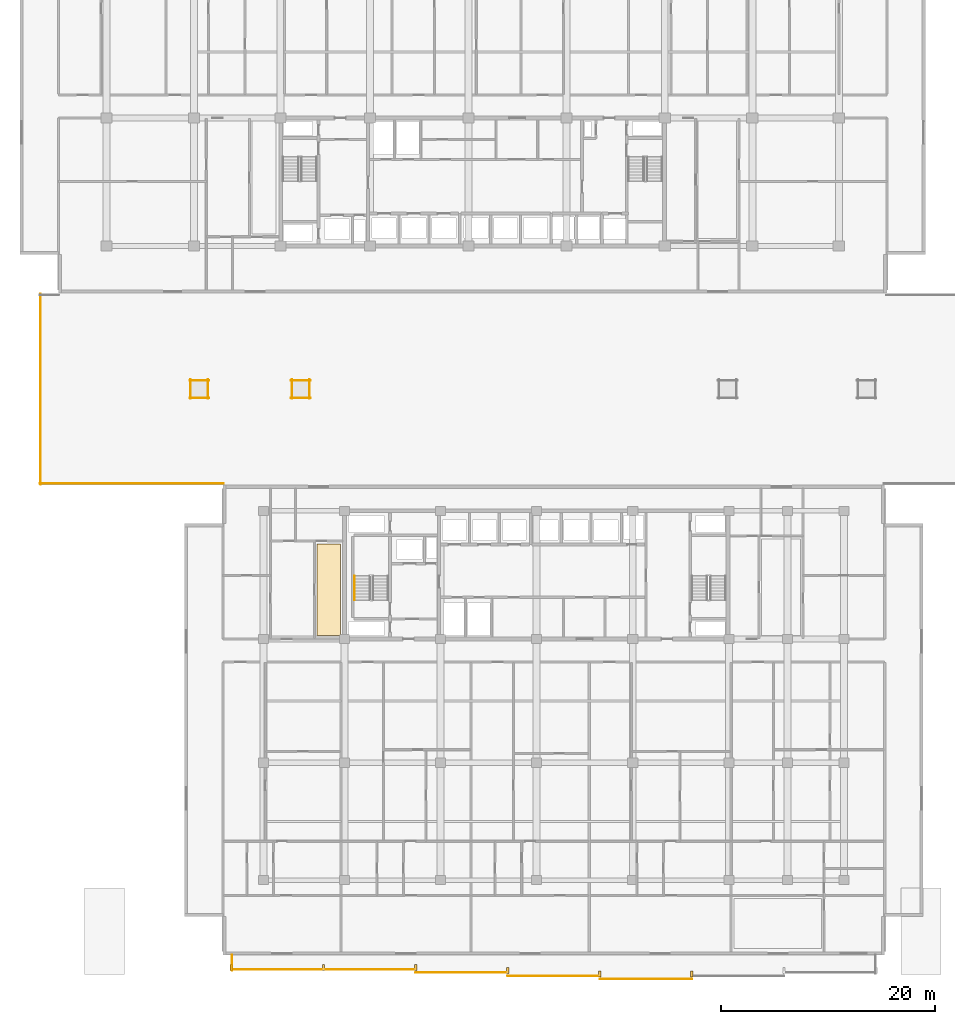
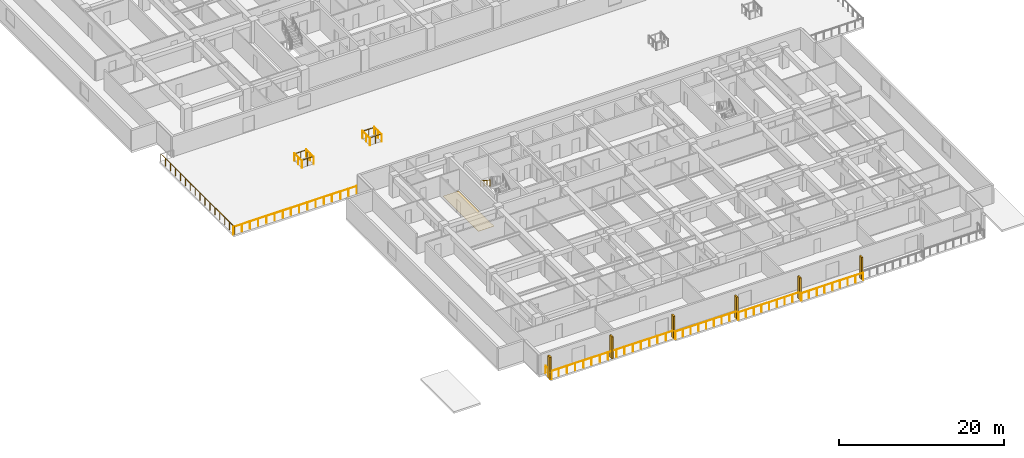
# One storey, part 19 of 24: 16 railings, 6 shading devices, 1 covering.
"""IFC4 building model written with IfcOpenShell, lengths in metres."""

from ifc_helpers import new_model, si_unit, direction, frame, origin, origin_2d, place, context, subcontext, project, spatial, polyline, rectangle, circle, outline, extrude, material, layer, layer_set, type_object, element, save


model = new_model("IFC4")

# Units and contexts
model_context = context("Model", 3, precision=1e-05, world=origin(), true_north=direction((0.0, 1.0)))
body_context = subcontext(model_context, "Body", "Model", "MODEL_VIEW")
ifc_project = project(units=[si_unit("LENGTHUNIT", "METRE"), si_unit("AREAUNIT", "SQUARE_METRE"), si_unit("VOLUMEUNIT", "CUBIC_METRE"), si_unit("PLANEANGLEUNIT", "RADIAN"), si_unit("MASSUNIT", "GRAM", prefix="KILO")], contexts=[model_context])

# Site, building, storey
site_placement = place(None, origin())
site = spatial("IfcSite", under=ifc_project, at=site_placement, CompositionType="ELEMENT")
building_placement = place(site_placement, origin())
building = spatial("IfcBuilding", under=site, at=building_placement, Name="Korimba Cascade Residences", CompositionType="ELEMENT")
storey_placement = place(building_placement, frame((0.0, 0.0, 24.0)))
storey = spatial("IfcBuildingStorey", under=building, at=storey_placement, Name="L05", CompositionType="ELEMENT", Elevation=24.0)

# Covering
ifc_material_1 = material(Name="Engineered Spotted-Gum Timber Flooring", Category="wood")
ifc_layer = layer(ifc_material_1, 0.02001953125)
ifc_layer_set = layer_set([ifc_layer], Name="Engineered Spotted-Gum Timber Flooring")
covering_type = type_object("IfcCoveringType", Name="COV-FLR-TIM", PredefinedType="FLOORING", material=ifc_layer_set)
covering_placement = place(storey_placement, origin())
element("IfcCovering", 1, at=covering_placement, inside=storey, type_object=covering_type, Name="L05 Spotted-Gum Timber Flooring L05-T2-FW-L", PredefinedType="FLOORING", context=body_context, shape_type="SweptSolid", body=[
    extrude(outline(polyline([(79.5, 18.699951171875), (81.699951171875, 18.699951171875), (81.699951171875, 27.300048828125), (79.5, 27.300048828125), (79.5, 18.699951171875)])), origin(), (0.0, 0.0, 1.0), 0.02001953125),
])

# Railings
ifc_material_2 = material(Name="Laminated Glass and Bronze Balustrade", Category="glass")
railing_type_1 = type_object("IfcRailingType", Name="RLG-LOG-1150", PredefinedType="BALUSTRADE", material=ifc_material_2)
railing_1_placement = place(storey_placement, frame((71.5, -12.570068359375, 0.0)))
element("IfcRailing", 2, at=railing_1_placement, inside=storey, type_object=railing_type_1, Name="L05 Perimeter Guardrail RLG-L05-T2-LOG-01", PredefinedType="BALUSTRADE", context=body_context, shape_type="SweptSolid", body=[
    extrude(circle(Radius=0.02392578125, at=origin_2d()), frame((0.0, 0.0, 1.1259765625), z_axis=(1.0, 0.0, 0.0), x_axis=(0.0, 1.0, 0.0)), (0.0, 0.0, 1.0), 17.257080078125),
    extrude(circle(Radius=0.02099609375, at=origin_2d()), origin(), (0.0, 0.0, 1.0), 1.101806640625),
    extrude(circle(Radius=0.02099609375, at=origin_2d()), frame((1.150390625, 0.0, 0.0)), (0.0, 0.0, 1.0), 1.101806640625),
    extrude(circle(Radius=0.02099609375, at=origin_2d()), frame((2.301025390625, 0.0, 0.0)), (0.0, 0.0, 1.0), 1.101806640625),
    extrude(circle(Radius=0.02099609375, at=origin_2d()), frame((3.451416015625, 0.0, 0.0)), (0.0, 0.0, 1.0), 1.101806640625),
    extrude(circle(Radius=0.02099609375, at=origin_2d()), frame((4.601806640625, 0.0, 0.0)), (0.0, 0.0, 1.0), 1.101806640625),
    extrude(circle(Radius=0.02099609375, at=origin_2d()), frame((5.75244140625, 0.0, 0.0)), (0.0, 0.0, 1.0), 1.101806640625),
    extrude(circle(Radius=0.02099609375, at=origin_2d()), frame((6.90283203125, 0.0, 0.0)), (0.0, 0.0, 1.0), 1.101806640625),
    extrude(circle(Radius=0.02099609375, at=origin_2d()), frame((8.05322265625, 0.0, 0.0)), (0.0, 0.0, 1.0), 1.101806640625),
    extrude(circle(Radius=0.02099609375, at=origin_2d()), frame((9.203857421875, 0.0, 0.0)), (0.0, 0.0, 1.0), 1.101806640625),
    extrude(circle(Radius=0.02099609375, at=origin_2d()), frame((10.354248046875, 0.0, 0.0)), (0.0, 0.0, 1.0), 1.101806640625),
    extrude(circle(Radius=0.02099609375, at=origin_2d()), frame((11.504638671875, 0.0, 0.0)), (0.0, 0.0, 1.0), 1.101806640625),
    extrude(circle(Radius=0.02099609375, at=origin_2d()), frame((12.6552734375, 0.0, 0.0)), (0.0, 0.0, 1.0), 1.101806640625),
    extrude(circle(Radius=0.02099609375, at=origin_2d()), frame((13.8056640625, 0.0, 0.0)), (0.0, 0.0, 1.0), 1.101806640625),
    extrude(circle(Radius=0.02099609375, at=origin_2d()), frame((14.9560546875, 0.0, 0.0)), (0.0, 0.0, 1.0), 1.101806640625),
    extrude(circle(Radius=0.02099609375, at=origin_2d()), frame((16.106689453125, 0.0, 0.0)), (0.0, 0.0, 1.0), 1.101806640625),
    extrude(circle(Radius=0.02099609375, at=origin_2d()), frame((17.257080078125, 0.0, 0.0)), (0.0, 0.0, 1.0), 1.101806640625),
])
for number, where, name in (
    (3, (88.757080078125, -12.8701171875, 0.0), "L05 Perimeter Guardrail RLG-L05-T2-LOG-02"),
    (4, (97.3857421875, -13.169921875, 0.0), "L05 Perimeter Guardrail RLG-L05-T2-LOG-03"),
):
    element("IfcRailing", number, at=place(storey_placement, frame(where)), inside=storey, type_object=railing_type_1, Name=name, PredefinedType="BALUSTRADE", context=body_context, shape_type="SweptSolid", body=[
        extrude(circle(Radius=0.02392578125, at=origin_2d()), frame((0.0, 0.0, 1.1259765625), z_axis=(1.0, 0.0, 0.0), x_axis=(0.0, 1.0, 0.0)), (0.0, 0.0, 1.0), 8.628662109375),
        extrude(circle(Radius=0.02099609375, at=origin_2d()), origin(), (0.0, 0.0, 1.0), 1.101806640625),
        extrude(circle(Radius=0.02099609375, at=origin_2d()), frame((1.07861328125, 0.0, 0.0)), (0.0, 0.0, 1.0), 1.101806640625),
        extrude(circle(Radius=0.02099609375, at=origin_2d()), frame((2.1572265625, 0.0, 0.0)), (0.0, 0.0, 1.0), 1.101806640625),
        extrude(circle(Radius=0.02099609375, at=origin_2d()), frame((3.23583984375, 0.0, 0.0)), (0.0, 0.0, 1.0), 1.101806640625),
        extrude(circle(Radius=0.02099609375, at=origin_2d()), frame((4.314453125, 0.0, 0.0)), (0.0, 0.0, 1.0), 1.101806640625),
        extrude(circle(Radius=0.02099609375, at=origin_2d()), frame((5.392822265625, 0.0, 0.0)), (0.0, 0.0, 1.0), 1.101806640625),
        extrude(circle(Radius=0.02099609375, at=origin_2d()), frame((6.471435546875, 0.0, 0.0)), (0.0, 0.0, 1.0), 1.101806640625),
        extrude(circle(Radius=0.02099609375, at=origin_2d()), frame((7.550048828125, 0.0, 0.0)), (0.0, 0.0, 1.0), 1.101806640625),
        extrude(circle(Radius=0.02099609375, at=origin_2d()), frame((8.628662109375, 0.0, 0.0)), (0.0, 0.0, 1.0), 1.101806640625),
    ])
railing_2_placement = place(storey_placement, frame((106.014404296875, -13.469970703125, 0.0)))
element("IfcRailing", 5, at=railing_2_placement, inside=storey, type_object=railing_type_1, Name="L05 Perimeter Guardrail RLG-L05-T2-LOG-04", PredefinedType="BALUSTRADE", context=body_context, shape_type="SweptSolid", body=[
    extrude(circle(Radius=0.02392578125, at=origin_2d()), frame((0.0, 0.0, 1.1259765625), z_axis=(1.0, 0.0, 0.0), x_axis=(0.0, 1.0, 0.0)), (0.0, 0.0, 1.0), 8.62841796875),
    extrude(circle(Radius=0.02099609375, at=origin_2d()), origin(), (0.0, 0.0, 1.0), 1.101806640625),
    extrude(circle(Radius=0.02099609375, at=origin_2d()), frame((1.07861328125, 0.0, 0.0)), (0.0, 0.0, 1.0), 1.101806640625),
    extrude(circle(Radius=0.02099609375, at=origin_2d()), frame((2.1572265625, 0.0, 0.0)), (0.0, 0.0, 1.0), 1.101806640625),
    extrude(circle(Radius=0.02099609375, at=origin_2d()), frame((3.235595703125, 0.0, 0.0)), (0.0, 0.0, 1.0), 1.101806640625),
    extrude(circle(Radius=0.02099609375, at=origin_2d()), frame((4.314208984375, 0.0, 0.0)), (0.0, 0.0, 1.0), 1.101806640625),
    extrude(circle(Radius=0.02099609375, at=origin_2d()), frame((5.392822265625, 0.0, 0.0)), (0.0, 0.0, 1.0), 1.101806640625),
    extrude(circle(Radius=0.02099609375, at=origin_2d()), frame((6.47119140625, 0.0, 0.0)), (0.0, 0.0, 1.0), 1.101806640625),
    extrude(circle(Radius=0.02099609375, at=origin_2d()), frame((7.5498046875, 0.0, 0.0)), (0.0, 0.0, 1.0), 1.101806640625),
    extrude(circle(Radius=0.02099609375, at=origin_2d()), frame((8.62841796875, 0.0, 0.0)), (0.0, 0.0, 1.0), 1.101806640625),
])
railing_3_placement = place(storey_placement, frame((71.580078125, -11.199951171875, 0.0)))
element("IfcRailing", 6, at=railing_3_placement, inside=storey, type_object=railing_type_1, Name="L05 Perimeter Guardrail RLG-L05-T2-LOG-08", PredefinedType="BALUSTRADE", context=body_context, shape_type="SweptSolid", body=[
    extrude(circle(Radius=0.02392578125, at=origin_2d()), frame((0.0, 0.0, 1.1259765625), z_axis=(0.0, -1.0, 0.0), x_axis=(1.0, 0.0, 0.0)), (0.0, 0.0, 1.0), 1.449951171875),
    extrude(circle(Radius=0.02099609375, at=origin_2d()), origin(), (0.0, 0.0, 1.0), 1.101806640625),
    extrude(circle(Radius=0.02099609375, at=origin_2d()), frame((0.0, -0.72509765625, 0.0)), (0.0, 0.0, 1.0), 1.101806640625),
    extrude(circle(Radius=0.02099609375, at=origin_2d()), frame((0.0, -1.449951171875, 0.0)), (0.0, 0.0, 1.0), 1.101806640625),
])
ifc_material_3 = material(Name="Brushed Stainless Steel Handrail", Category="steel")
railing_type_2 = type_object("IfcRailingType", Name="RLG-ST-HR900", PredefinedType="HANDRAIL", material=ifc_material_3)
railing_4_placement = place(storey_placement, frame((83.050048828125, 24.2900390625, 1.989990234375)))
element("IfcRailing", 7, at=railing_4_placement, inside=storey, type_object=railing_type_2, Name="L05 ST-E1 stair handrail 2", PredefinedType="HANDRAIL", context=body_context, shape_type="SweptSolid", body=[
    extrude(circle(Radius=0.02392578125, at=origin_2d()), frame((0.0, 0.0, 0.8759765625), z_axis=(0.0, -0.840436612492, 0.541909863706), x_axis=(1.0, 0.0, 0.0)), (0.0, 0.0, 1.0), 2.665283203125),
    extrude(circle(Radius=0.02099609375, at=origin_2d()), origin(), (0.0, 0.0, 1.0), 0.851806640625),
    extrude(circle(Radius=0.02099609375, at=origin_2d()), frame((0.0, -0.74658203125, 0.4814453125)), (0.0, 0.0, 1.0), 0.851806640625),
    extrude(circle(Radius=0.02099609375, at=origin_2d()), frame((0.0, -1.493408203125, 0.962890625)), (0.0, 0.0, 1.0), 0.851806640625),
    extrude(circle(Radius=0.02099609375, at=origin_2d()), frame((0.0, -2.239990234375, 1.4443359375)), (0.0, 0.0, 1.0), 0.851806640625),
])
ifc_material_4 = material(Name="Painted Galvanised Steel Terrace Guardrail", Category="steel")
railing_type_3 = type_object("IfcRailingType", Name="RLG-TER-1150", PredefinedType="GUARDRAIL", material=ifc_material_4)
railing_5_placement = place(storey_placement, frame((53.56005859375, 32.9599609375, 0.0)))
element("IfcRailing", 8, at=railing_5_placement, inside=storey, type_object=railing_type_3, Name="L05 Perimeter Guardrail RLG-L05-PODRF-01", PredefinedType="GUARDRAIL", context=body_context, shape_type="SweptSolid", body=[
    extrude(circle(Radius=0.02392578125, at=origin_2d()), frame((0.0, 0.0, 1.1259765625), z_axis=(1.0, 0.0, 0.0), x_axis=(0.0, 1.0, 0.0)), (0.0, 0.0, 1.0), 17.18994140625),
    extrude(circle(Radius=0.02099609375, at=origin_2d()), origin(), (0.0, 0.0, 1.0), 1.101806640625),
    extrude(circle(Radius=0.02099609375, at=origin_2d()), frame((1.14599609375, 0.0, 0.0)), (0.0, 0.0, 1.0), 1.101806640625),
    extrude(circle(Radius=0.02099609375, at=origin_2d()), frame((2.2919921875, 0.0, 0.0)), (0.0, 0.0, 1.0), 1.101806640625),
    extrude(circle(Radius=0.02099609375, at=origin_2d()), frame((3.43798828125, 0.0, 0.0)), (0.0, 0.0, 1.0), 1.101806640625),
    extrude(circle(Radius=0.02099609375, at=origin_2d()), frame((4.583984375, 0.0, 0.0)), (0.0, 0.0, 1.0), 1.101806640625),
    extrude(circle(Radius=0.02099609375, at=origin_2d()), frame((5.72998046875, 0.0, 0.0)), (0.0, 0.0, 1.0), 1.101806640625),
    extrude(circle(Radius=0.02099609375, at=origin_2d()), frame((6.8759765625, 0.0, 0.0)), (0.0, 0.0, 1.0), 1.101806640625),
    extrude(circle(Radius=0.02099609375, at=origin_2d()), frame((8.02197265625, 0.0, 0.0)), (0.0, 0.0, 1.0), 1.101806640625),
    extrude(circle(Radius=0.02099609375, at=origin_2d()), frame((9.16796875, 0.0, 0.0)), (0.0, 0.0, 1.0), 1.101806640625),
    extrude(circle(Radius=0.02099609375, at=origin_2d()), frame((10.31396484375, 0.0, 0.0)), (0.0, 0.0, 1.0), 1.101806640625),
    extrude(circle(Radius=0.02099609375, at=origin_2d()), frame((11.4599609375, 0.0, 0.0)), (0.0, 0.0, 1.0), 1.101806640625),
    extrude(circle(Radius=0.02099609375, at=origin_2d()), frame((12.60595703125, 0.0, 0.0)), (0.0, 0.0, 1.0), 1.101806640625),
    extrude(circle(Radius=0.02099609375, at=origin_2d()), frame((13.751953125, 0.0, 0.0)), (0.0, 0.0, 1.0), 1.101806640625),
    extrude(circle(Radius=0.02099609375, at=origin_2d()), frame((14.89794921875, 0.0, 0.0)), (0.0, 0.0, 1.0), 1.101806640625),
    extrude(circle(Radius=0.02099609375, at=origin_2d()), frame((16.0439453125, 0.0, 0.0)), (0.0, 0.0, 1.0), 1.101806640625),
    extrude(circle(Radius=0.02099609375, at=origin_2d()), frame((17.18994140625, 0.0, 0.0)), (0.0, 0.0, 1.0), 1.101806640625),
])
railing_6_placement = place(storey_placement, frame((53.639892578125, 50.719970703125, 0.0)))
element("IfcRailing", 9, at=railing_6_placement, inside=storey, type_object=railing_type_3, Name="L05 Perimeter Guardrail RLG-L05-PODRF-06", PredefinedType="GUARDRAIL", context=body_context, shape_type="SweptSolid", body=[
    extrude(circle(Radius=0.02392578125, at=origin_2d()), frame((0.0, 0.0, 1.1259765625), z_axis=(0.0, -1.0, 0.0), x_axis=(1.0, 0.0, 0.0)), (0.0, 0.0, 1.0), 17.840087890625),
    extrude(circle(Radius=0.02099609375, at=origin_2d()), origin(), (0.0, 0.0, 1.0), 1.101806640625),
    extrude(circle(Radius=0.02099609375, at=origin_2d()), frame((0.0, -1.189453125, 0.0)), (0.0, 0.0, 1.0), 1.101806640625),
    extrude(circle(Radius=0.02099609375, at=origin_2d()), frame((0.0, -2.378662109375, 0.0)), (0.0, 0.0, 1.0), 1.101806640625),
    extrude(circle(Radius=0.02099609375, at=origin_2d()), frame((0.0, -3.568115234375, 0.0)), (0.0, 0.0, 1.0), 1.101806640625),
    extrude(circle(Radius=0.02099609375, at=origin_2d()), frame((0.0, -4.75732421875, 0.0)), (0.0, 0.0, 1.0), 1.101806640625),
    extrude(circle(Radius=0.02099609375, at=origin_2d()), frame((0.0, -5.94677734375, 0.0)), (0.0, 0.0, 1.0), 1.101806640625),
    extrude(circle(Radius=0.02099609375, at=origin_2d()), frame((0.0, -7.135986328125, 0.0)), (0.0, 0.0, 1.0), 1.101806640625),
    extrude(circle(Radius=0.02099609375, at=origin_2d()), frame((0.0, -8.325439453125, 0.0)), (0.0, 0.0, 1.0), 1.101806640625),
    extrude(circle(Radius=0.02099609375, at=origin_2d()), frame((0.0, -9.5146484375, 0.0)), (0.0, 0.0, 1.0), 1.101806640625),
    extrude(circle(Radius=0.02099609375, at=origin_2d()), frame((0.0, -10.7041015625, 0.0)), (0.0, 0.0, 1.0), 1.101806640625),
    extrude(circle(Radius=0.02099609375, at=origin_2d()), frame((0.0, -11.893310546875, 0.0)), (0.0, 0.0, 1.0), 1.101806640625),
    extrude(circle(Radius=0.02099609375, at=origin_2d()), frame((0.0, -13.082763671875, 0.0)), (0.0, 0.0, 1.0), 1.101806640625),
    extrude(circle(Radius=0.02099609375, at=origin_2d()), frame((0.0, -14.27197265625, 0.0)), (0.0, 0.0, 1.0), 1.101806640625),
    extrude(circle(Radius=0.02099609375, at=origin_2d()), frame((0.0, -15.46142578125, 0.0)), (0.0, 0.0, 1.0), 1.101806640625),
    extrude(circle(Radius=0.02099609375, at=origin_2d()), frame((0.0, -16.650634765625, 0.0)), (0.0, 0.0, 1.0), 1.101806640625),
    extrude(circle(Radius=0.02099609375, at=origin_2d()), frame((0.0, -17.840087890625, 0.0)), (0.0, 0.0, 1.0), 1.101806640625),
])
railing_7_placement = place(storey_placement, frame((67.60009765625, 40.97998046875, 0.0)))
element("IfcRailing", 10, at=railing_7_placement, inside=storey, type_object=railing_type_3, Name="L05 Perimeter Guardrail RLG-L05-SKY-1-01", PredefinedType="GUARDRAIL", context=body_context, shape_type="SweptSolid", body=[
    extrude(circle(Radius=0.02392578125, at=origin_2d()), frame((0.0, 0.0, 1.1259765625), z_axis=(1.0, 0.0, 0.0), x_axis=(0.0, 1.0, 0.0)), (0.0, 0.0, 1.0), 1.7998046875),
    extrude(circle(Radius=0.02099609375, at=origin_2d()), origin(), (0.0, 0.0, 1.0), 1.101806640625),
    extrude(circle(Radius=0.02099609375, at=origin_2d()), frame((0.89990234375, 0.0, 0.0)), (0.0, 0.0, 1.0), 1.101806640625),
    extrude(circle(Radius=0.02099609375, at=origin_2d()), frame((1.7998046875, 0.0, 0.0)), (0.0, 0.0, 1.0), 1.101806640625),
])
railing_8_placement = place(storey_placement, frame((69.320068359375, 40.89990234375, 0.0)))
element("IfcRailing", 11, at=railing_8_placement, inside=storey, type_object=railing_type_3, Name="L05 Perimeter Guardrail RLG-L05-SKY-1-02", PredefinedType="GUARDRAIL", context=body_context, shape_type="SweptSolid", body=[
    extrude(circle(Radius=0.02392578125, at=origin_2d()), frame((0.0, 0.0, 1.1259765625), z_axis=(0.0, 1.0, 0.0), x_axis=(-1.0, 0.0, 0.0)), (0.0, 0.0, 1.0), 1.800048828125),
    extrude(circle(Radius=0.02099609375, at=origin_2d()), origin(), (0.0, 0.0, 1.0), 1.101806640625),
    extrude(circle(Radius=0.02099609375, at=origin_2d()), frame((0.0, 0.89990234375, 0.0)), (0.0, 0.0, 1.0), 1.101806640625),
    extrude(circle(Radius=0.02099609375, at=origin_2d()), frame((0.0, 1.800048828125, 0.0)), (0.0, 0.0, 1.0), 1.101806640625),
])
railing_9_placement = place(storey_placement, frame((69.39990234375, 42.6201171875, 0.0)))
element("IfcRailing", 12, at=railing_9_placement, inside=storey, type_object=railing_type_3, Name="L05 Perimeter Guardrail RLG-L05-SKY-1-03", PredefinedType="GUARDRAIL", context=body_context, shape_type="SweptSolid", body=[
    extrude(circle(Radius=0.02392578125, at=origin_2d()), frame((0.0, 0.0, 1.1259765625), z_axis=(-1.0, 0.0, 0.0), x_axis=(0.0, -1.0, 0.0)), (0.0, 0.0, 1.0), 1.7998046875),
    extrude(circle(Radius=0.02099609375, at=origin_2d()), origin(), (0.0, 0.0, 1.0), 1.101806640625),
    extrude(circle(Radius=0.02099609375, at=origin_2d()), frame((-0.89990234375, 0.0, 0.0)), (0.0, 0.0, 1.0), 1.101806640625),
    extrude(circle(Radius=0.02099609375, at=origin_2d()), frame((-1.7998046875, 0.0, 0.0)), (0.0, 0.0, 1.0), 1.101806640625),
])
railing_10_placement = place(storey_placement, frame((67.679931640625, 42.699951171875, 0.0)))
element("IfcRailing", 13, at=railing_10_placement, inside=storey, type_object=railing_type_3, Name="L05 Perimeter Guardrail RLG-L05-SKY-1-04", PredefinedType="GUARDRAIL", context=body_context, shape_type="SweptSolid", body=[
    extrude(circle(Radius=0.02392578125, at=origin_2d()), frame((0.0, 0.0, 1.1259765625), z_axis=(0.0, -1.0, 0.0), x_axis=(1.0, 0.0, 0.0)), (0.0, 0.0, 1.0), 1.800048828125),
    extrude(circle(Radius=0.02099609375, at=origin_2d()), origin(), (0.0, 0.0, 1.0), 1.101806640625),
    extrude(circle(Radius=0.02099609375, at=origin_2d()), frame((0.0, -0.89990234375, 0.0)), (0.0, 0.0, 1.0), 1.101806640625),
    extrude(circle(Radius=0.02099609375, at=origin_2d()), frame((0.0, -1.800048828125, 0.0)), (0.0, 0.0, 1.0), 1.101806640625),
])
railing_11_placement = place(storey_placement, frame((77.10009765625, 40.97998046875, 0.0)))
element("IfcRailing", 14, at=railing_11_placement, inside=storey, type_object=railing_type_3, Name="L05 Perimeter Guardrail RLG-L05-SKY-2-01", PredefinedType="GUARDRAIL", context=body_context, shape_type="SweptSolid", body=[
    extrude(circle(Radius=0.02392578125, at=origin_2d()), frame((0.0, 0.0, 1.1259765625), z_axis=(1.0, 0.0, 0.0), x_axis=(0.0, 1.0, 0.0)), (0.0, 0.0, 1.0), 1.7998046875),
    extrude(circle(Radius=0.02099609375, at=origin_2d()), origin(), (0.0, 0.0, 1.0), 1.101806640625),
    extrude(circle(Radius=0.02099609375, at=origin_2d()), frame((0.89990234375, 0.0, 0.0)), (0.0, 0.0, 1.0), 1.101806640625),
    extrude(circle(Radius=0.02099609375, at=origin_2d()), frame((1.7998046875, 0.0, 0.0)), (0.0, 0.0, 1.0), 1.101806640625),
])
railing_12_placement = place(storey_placement, frame((78.820068359375, 40.89990234375, 0.0)))
element("IfcRailing", 15, at=railing_12_placement, inside=storey, type_object=railing_type_3, Name="L05 Perimeter Guardrail RLG-L05-SKY-2-02", PredefinedType="GUARDRAIL", context=body_context, shape_type="SweptSolid", body=[
    extrude(circle(Radius=0.02392578125, at=origin_2d()), frame((0.0, 0.0, 1.1259765625), z_axis=(0.0, 1.0, 0.0), x_axis=(-1.0, 0.0, 0.0)), (0.0, 0.0, 1.0), 1.800048828125),
    extrude(circle(Radius=0.02099609375, at=origin_2d()), origin(), (0.0, 0.0, 1.0), 1.101806640625),
    extrude(circle(Radius=0.02099609375, at=origin_2d()), frame((0.0, 0.89990234375, 0.0)), (0.0, 0.0, 1.0), 1.101806640625),
    extrude(circle(Radius=0.02099609375, at=origin_2d()), frame((0.0, 1.800048828125, 0.0)), (0.0, 0.0, 1.0), 1.101806640625),
])
railing_13_placement = place(storey_placement, frame((78.89990234375, 42.6201171875, 0.0)))
element("IfcRailing", 16, at=railing_13_placement, inside=storey, type_object=railing_type_3, Name="L05 Perimeter Guardrail RLG-L05-SKY-2-03", PredefinedType="GUARDRAIL", context=body_context, shape_type="SweptSolid", body=[
    extrude(circle(Radius=0.02392578125, at=origin_2d()), frame((0.0, 0.0, 1.1259765625), z_axis=(-1.0, 0.0, 0.0), x_axis=(0.0, -1.0, 0.0)), (0.0, 0.0, 1.0), 1.7998046875),
    extrude(circle(Radius=0.02099609375, at=origin_2d()), origin(), (0.0, 0.0, 1.0), 1.101806640625),
    extrude(circle(Radius=0.02099609375, at=origin_2d()), frame((-0.89990234375, 0.0, 0.0)), (0.0, 0.0, 1.0), 1.101806640625),
    extrude(circle(Radius=0.02099609375, at=origin_2d()), frame((-1.7998046875, 0.0, 0.0)), (0.0, 0.0, 1.0), 1.101806640625),
])
railing_14_placement = place(storey_placement, frame((77.179931640625, 42.699951171875, 0.0)))
element("IfcRailing", 17, at=railing_14_placement, inside=storey, type_object=railing_type_3, Name="L05 Perimeter Guardrail RLG-L05-SKY-2-04", PredefinedType="GUARDRAIL", context=body_context, shape_type="SweptSolid", body=[
    extrude(circle(Radius=0.02392578125, at=origin_2d()), frame((0.0, 0.0, 1.1259765625), z_axis=(0.0, -1.0, 0.0), x_axis=(1.0, 0.0, 0.0)), (0.0, 0.0, 1.0), 1.800048828125),
    extrude(circle(Radius=0.02099609375, at=origin_2d()), origin(), (0.0, 0.0, 1.0), 1.101806640625),
    extrude(circle(Radius=0.02099609375, at=origin_2d()), frame((0.0, -0.89990234375, 0.0)), (0.0, 0.0, 1.0), 1.101806640625),
    extrude(circle(Radius=0.02099609375, at=origin_2d()), frame((0.0, -1.800048828125, 0.0)), (0.0, 0.0, 1.0), 1.101806640625),
])

# Shading devices
ifc_material_5 = material(Name="Honed Sandstone Precast Fin", Category="masonry")
shading_device_type = type_object("IfcShadingDeviceType", Name="SHD-FIN-550", PredefinedType="USERDEFINED", material=ifc_material_5)
for number, where, z_axis, x_axis, name in (
    (18, (71.5, -12.375, 0.0), (0.0, 0.0, 1.0), (1.0, 0.0, 0.0), "L05 T2 Warm-Stone Loggia Fin 1"),
    (19, (80.128662109375, -12.375, 0.0), (0.0, 0.0, 1.0), (1.0, 0.0, 0.0), "L05 T2 Warm-Stone Loggia Fin 2"),
    (20, (88.757080078125, -12.375, 0.0), (0.0, 0.0, 1.0), (1.0, 0.0, 0.0), "L05 T2 Warm-Stone Loggia Fin 3"),
    (21, (97.3857421875, -12.675048828125, 0.0), (0.0, 0.0, 1.0), (1.0, 0.0, 0.0), "L05 T2 Warm-Stone Loggia Fin 4"),
    (22, (106.014404296875, -12.97509765625, 0.0), (0.0, 0.0, 1.0), (1.0, 0.0, 0.0), "L05 T2 Warm-Stone Loggia Fin 5"),
    (23, (114.642822265625, -12.97509765625, 0.0), (0.0, 0.0, 1.0), (1.0, 0.0, 0.0), "L05 T2 Warm-Stone Loggia Fin 6"),
):
    element("IfcShadingDevice", number, at=place(storey_placement, frame(where, z_axis=z_axis, x_axis=x_axis)), inside=storey, type_object=shading_device_type, Name=name, ObjectType="FIN", PredefinedType="USERDEFINED", context=body_context, shape_type="SweptSolid", body=[
        extrude(rectangle(XDim=0.219970703125, YDim=0.550048828125, at=origin_2d()), origin(), (0.0, 0.0, 1.0), 3.25),
    ])

save(model, "model.ifc")
